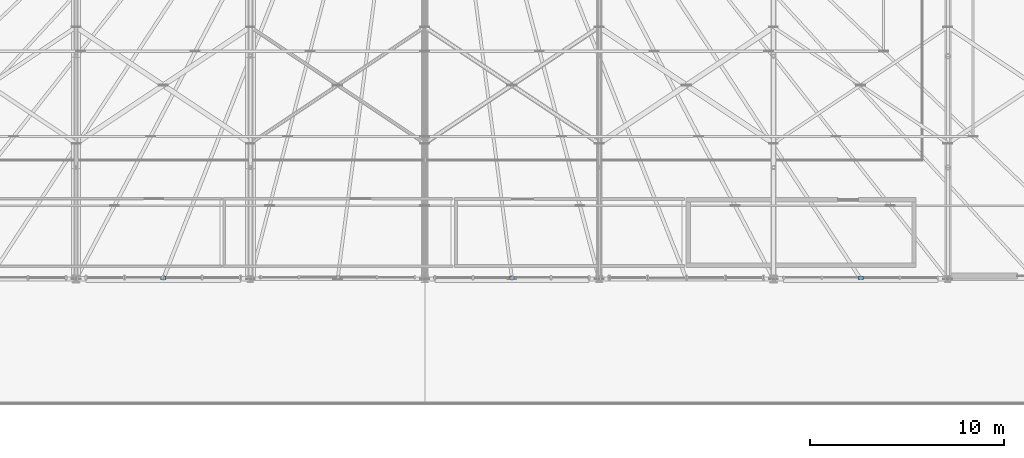
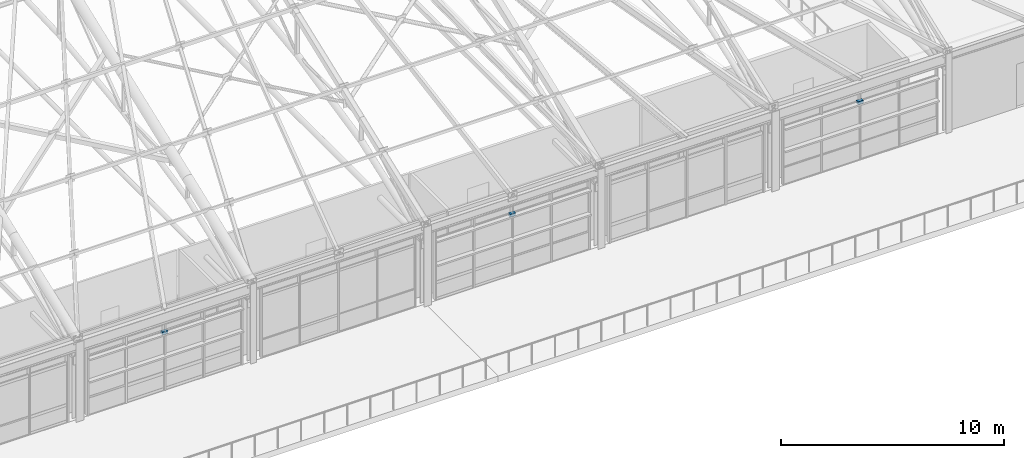
# One storey, part 159 of 168: 3 discrete accessories.
"""IFC4 building model written with IfcOpenShell, lengths in metres."""

from ifc_helpers import new_model, si_unit, direction, frame, origin, origin_2d, place, context, subcontext, project, spatial, rectangle, extrude, material, type_object, element, save


model = new_model("IFC4")

# Units and contexts
model_context = context("Model", 3, precision=1e-05, world=origin(), true_north=direction((0.0, 1.0)))
body_context = subcontext(model_context, "Body", "Model", "MODEL_VIEW")
ifc_project = project(units=[si_unit("LENGTHUNIT", "METRE"), si_unit("AREAUNIT", "SQUARE_METRE"), si_unit("VOLUMEUNIT", "CUBIC_METRE"), si_unit("PLANEANGLEUNIT", "RADIAN"), si_unit("MASSUNIT", "GRAM", prefix="KILO"), si_unit("THERMODYNAMICTEMPERATUREUNIT", "KELVIN"), si_unit("POWERUNIT", "WATT")], contexts=[model_context])

# Site, building, storey
site_placement = place(None, origin())
site = spatial("IfcSite", under=ifc_project, at=site_placement, CompositionType="ELEMENT")
building_placement = place(site_placement, origin())
building = spatial("IfcBuilding", under=site, at=building_placement, Name="Tepalcoro Natatorium and Aquatics Centre", CompositionType="ELEMENT")
storey_placement = place(building_placement, frame((0.0, 0.0, 10.199951171875)))
storey = spatial("IfcBuildingStorey", under=building, at=storey_placement, Name="L02", CompositionType="ELEMENT", Elevation=10.199951171875)

# Discrete accessories
ifc_material = material(Name="Marine-Grade Brushed Stainless Steel AISI 316L", Category="steel")
discrete_accessory_type = type_object("IfcDiscreteAccessoryType", Name="BRK_SEISMIC_SS", PredefinedType="BRACKET", material=ifc_material)
for number, where, z_axis, x_axis, name in (
    (1, (75.5, 13.05615234375, 3.078125), (0.0, 0.0, 1.0), (1.0, 0.0, 0.0), "Solar Shading Outrigger Bracket BRK_SEISMIC_SS"),
    (2, (93.5, 13.05615234375, 3.22998046875), (0.0, 0.0, 1.0), (1.0, 0.0, 0.0), "Solar Shading Outrigger Bracket BRK_SEISMIC_SS"),
    (3, (111.5, 13.05615234375, 3.078125), (0.0, 0.0, 1.0), (1.0, 0.0, 0.0), "Solar Shading Outrigger Bracket BRK_SEISMIC_SS"),
):
    element("IfcDiscreteAccessory", number, at=place(storey_placement, frame(where, z_axis=z_axis, x_axis=x_axis)), inside=storey, type_object=discrete_accessory_type, Name=name, PredefinedType="BRACKET", context=body_context, shape_type="SweptSolid", body=[
        extrude(rectangle(XDim=0.280029296875, YDim=0.159912109375, at=origin_2d()), origin(), (0.0, 0.0, 1.0), 0.159912109375),
    ])

save(model, "model.ifc")
